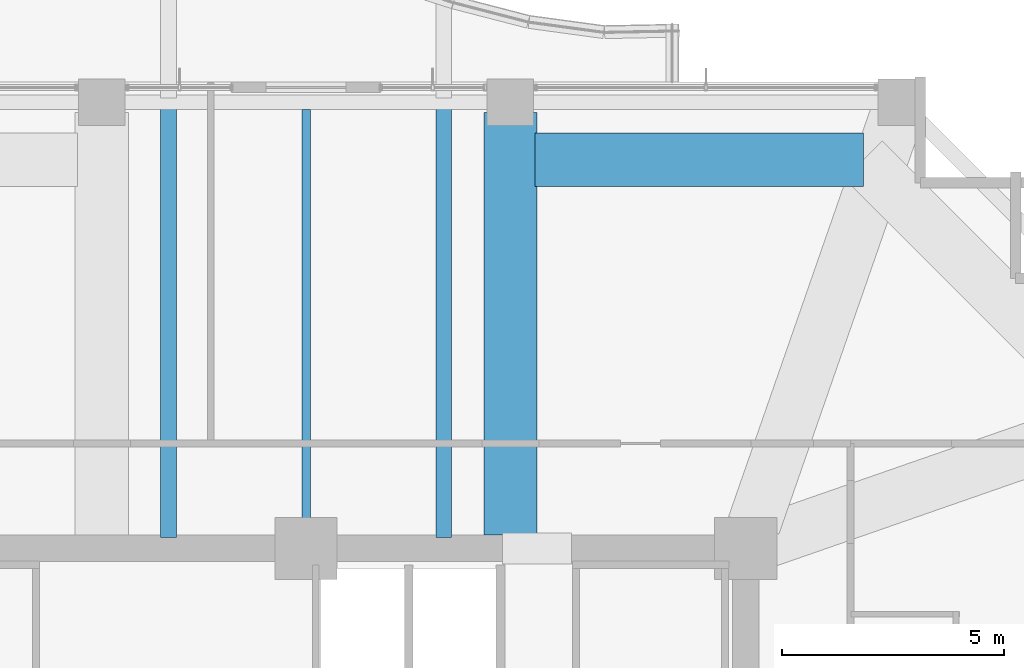
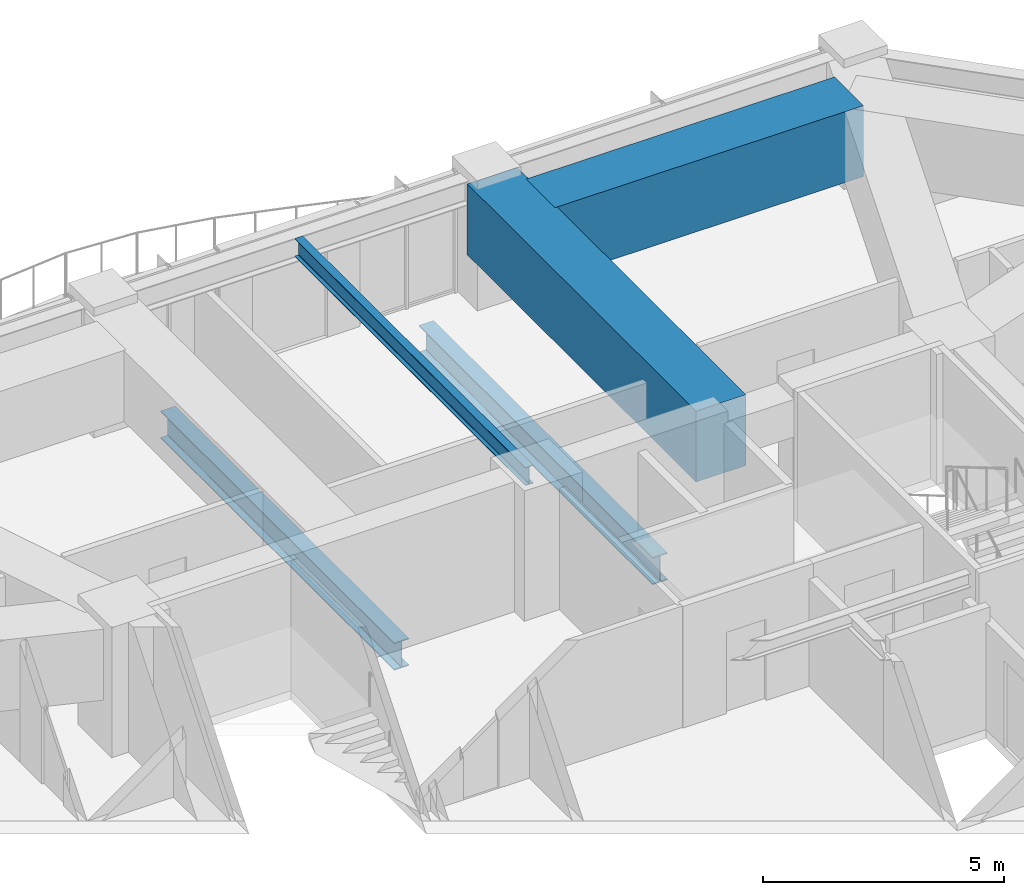
# One storey, part 20 of 34: 5 beams.
"""IFC4 building model written with IfcOpenShell, lengths in metres."""

from ifc_helpers import new_model, si_unit, direction, frame, origin, origin_2d, place, context, subcontext, project, spatial, rectangle, i_section, extrude, material, material_profile, profile_set, type_object, element, save


model = new_model("IFC4")

# Units and contexts
model_context = context("Model", 3, precision=1e-05, world=origin(), true_north=direction((0.0, 1.0)))
body_context = subcontext(model_context, "Body", "Model", "MODEL_VIEW")
ifc_project = project(units=[si_unit("LENGTHUNIT", "METRE"), si_unit("AREAUNIT", "SQUARE_METRE"), si_unit("VOLUMEUNIT", "CUBIC_METRE"), si_unit("PLANEANGLEUNIT", "RADIAN"), si_unit("MASSUNIT", "GRAM", prefix="KILO")], contexts=[model_context])

# Site, building, storey
site_placement = place(None, origin())
site = spatial("IfcSite", under=ifc_project, at=site_placement, CompositionType="ELEMENT")
building_placement = place(site_placement, origin())
building = spatial("IfcBuilding", under=site, at=building_placement, Name="Kolvaren Belvedere", CompositionType="ELEMENT")
storey_placement = place(building_placement, frame((0.0, 0.0, 105.199951171875)))
storey = spatial("IfcBuildingStorey", under=building, at=storey_placement, Name="L30", CompositionType="ELEMENT", Elevation=105.199951171875)

# Beams
ifc_material_1 = material(Name="Structural steel ASTM A992 Grade 50", Category="steel")
ifc_material_profile_1 = material_profile(ifc_material_1, i_section(OverallWidth=0.35498046875, OverallDepth=0.696044921875, WebThickness=0.015380859375, FlangeThickness=0.02490234375, FilletRadius=0.02197265625, at=origin_2d()), Name="W27X146")
ifc_profile_set_1 = profile_set([ifc_material_profile_1], Name="Structural steel ASTM A992 Grade 50")
beam_type_1 = type_object("IfcBeamType", Name="BM-GIRD-W27X146", PredefinedType="BEAM", material=ifc_profile_set_1)
for number, where, z_axis, x_axis, name in (
    (1, (-3.10009765625, 10.139892578125, -0.56787109375), (0.0, 1.0, 0.0), (-1.0, 0.0, 0.0), "L30 Balcony Interior Back-Span Girder BAL-N-1"),
    (2, (3.10009765625, 10.139892578125, -0.56787109375), (0.0, 1.0, 0.0), (-1.0, 0.0, 0.0), "L30 Balcony Interior Back-Span Girder BAL-N-2"),
):
    element("IfcBeam", number, at=place(storey_placement, frame(where, z_axis=z_axis, x_axis=x_axis)), inside=storey, type_object=beam_type_1, Name=name, PredefinedType="BEAM", context=body_context, shape_type="SweptSolid", body=[
        extrude(i_section(OverallWidth=0.35498046875, OverallDepth=0.696044921875, WebThickness=0.015380859375, FlangeThickness=0.02490234375, FilletRadius=0.02197265625, at=origin_2d()), origin(), (0.0, 0.0, 1.0), 9.715087890625),
    ])
ifc_material_2 = material(Name="Structural steel ASTM A992 Grade 50", Category="steel")
ifc_material_profile_2 = material_profile(ifc_material_2, i_section(OverallWidth=0.19091796875, OverallDepth=0.4599609375, WebThickness=0.010009765625, FlangeThickness=0.01611328125, FilletRadius=0.014892578125, at=origin_2d()), Name="W18X55")
ifc_profile_set_2 = profile_set([ifc_material_profile_2], Name="Structural steel ASTM A992 Grade 50")
beam_type_2 = type_object("IfcBeamType", Name="BM-JOIST-W18X55", PredefinedType="BEAM", material=ifc_profile_set_2)
beam_1_placement = place(storey_placement, frame((0.0, 10.199951171875, 2.85009765625), z_axis=(0.0, 1.0, 0.0), x_axis=(-1.0, 0.0, 0.0)))
element("IfcBeam", 3, at=beam_1_placement, inside=storey, type_object=beam_type_2, Name="L30 North Centre Floor Beam", PredefinedType="BEAM", context=body_context, shape_type="SweptSolid", body=[
    extrude(i_section(OverallWidth=0.19091796875, OverallDepth=0.4599609375, WebThickness=0.010009765625, FlangeThickness=0.01611328125, FilletRadius=0.014892578125, at=origin_2d()), origin(), (0.0, 0.0, 1.0), 9.587646484375),
])
ifc_material_3 = material(Name="Concrete C50/60", Category="concrete")
ifc_material_profile_3 = material_profile(ifc_material_3, rectangle(XDim=1.199951171875, YDim=1.800048828125, at=origin_2d()), Name="RC 1200X1800")
ifc_profile_set_3 = profile_set([ifc_material_profile_3], Name="Concrete C50/60")
beam_type_3 = type_object("IfcBeamType", Name="BM-TG-1800", PredefinedType="BEAM", material=ifc_profile_set_3)
beam_2_placement = place(storey_placement, frame((12.550048828125, 18.64990234375, 2.179931640625), z_axis=(-1.0, 0.0, 0.0), x_axis=(0.0, -1.0, 0.0)))
element("IfcBeam", 4, at=beam_2_placement, inside=storey, type_object=beam_type_3, Name="L30 Step Transfer Ring Girder N4-N3", PredefinedType="BEAM", context=body_context, shape_type="SweptSolid", body=[
    extrude(rectangle(XDim=1.199951171875, YDim=1.800048828125, at=origin_2d()), origin(), (0.0, 0.0, 1.0), 7.400146484375),
])
beam_3_placement = place(storey_placement, frame((4.60009765625, 10.199951171875, 2.179931640625), z_axis=(0.0, 1.0, 0.0), x_axis=(-1.0, 0.0, 0.0)))
element("IfcBeam", 5, at=beam_3_placement, inside=storey, type_object=beam_type_3, Name="L30 North Radial Girder P", PredefinedType="BEAM", context=body_context, shape_type="SweptSolid", body=[
    extrude(rectangle(XDim=1.199951171875, YDim=1.800048828125, at=origin_2d()), origin(), (0.0, 0.0, 1.0), 9.513916015625),
])

save(model, "model.ifc")
